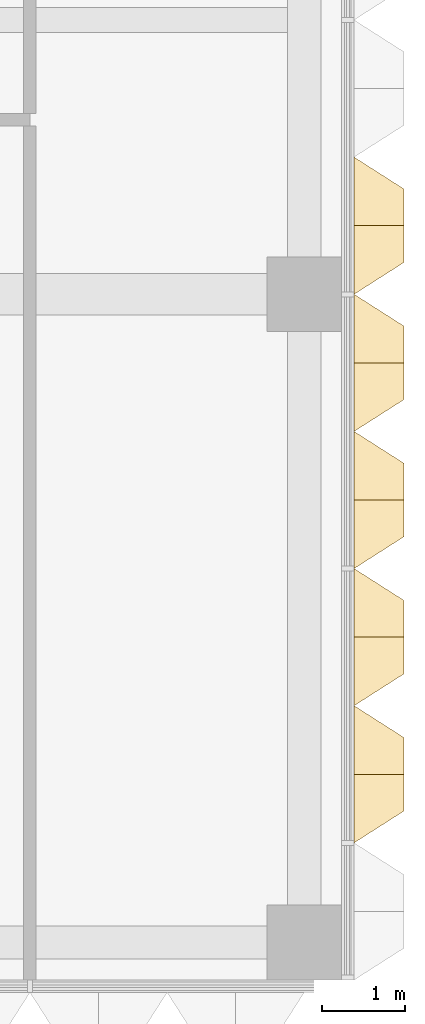
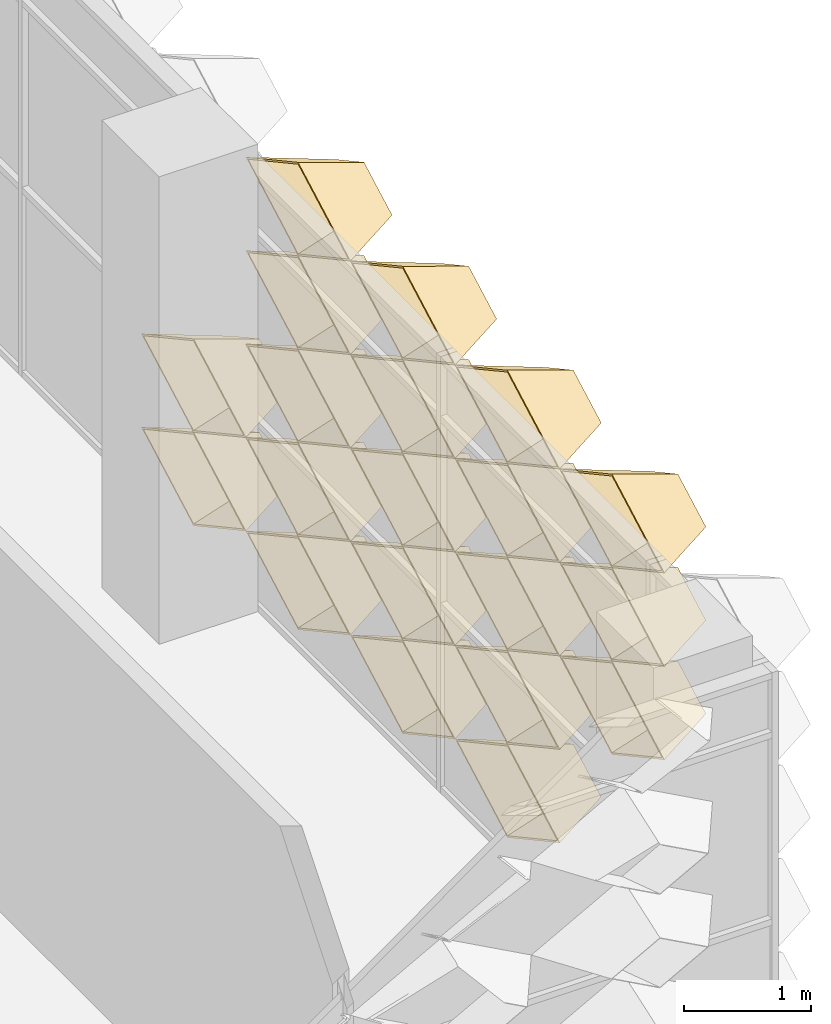
# One storey, part 61 of 87: 20 coverings.
"""IFC4 building model written with IfcOpenShell, lengths in metres."""

from ifc_helpers import new_model, entity, si_unit, direction, frame, origin, place, context, subcontext, project, spatial, material, layer, layer_set, type_object, element, save


model = new_model("IFC4")

# Units and contexts
model_context = context("Model", 3, precision=1e-05, world=origin(), true_north=direction((0.0, 1.0)))
body_context = subcontext(model_context, "Body", "Model", "MODEL_VIEW")
ifc_project = project(units=[si_unit("LENGTHUNIT", "METRE"), si_unit("AREAUNIT", "SQUARE_METRE"), si_unit("VOLUMEUNIT", "CUBIC_METRE"), si_unit("PLANEANGLEUNIT", "RADIAN"), si_unit("MASSUNIT", "GRAM", prefix="KILO")], contexts=[model_context])

# Site, building, storey
site_placement = place(None, origin())
site = spatial("IfcSite", under=ifc_project, at=site_placement, CompositionType="ELEMENT")
building_placement = place(site_placement, origin())
building = spatial("IfcBuilding", under=site, at=building_placement, Name="Lantern Court Research Institute", CompositionType="ELEMENT")
storey_placement = place(building_placement, frame((0.0, 0.0, 5.39990234375)))
storey = spatial("IfcBuildingStorey", under=building, at=storey_placement, Name="L01", CompositionType="ELEMENT", Elevation=5.39990234375)

# Coverings
ifc_material = material(Name="Anodised aluminium", Category="aluminium")
ifc_layer = layer(ifc_material, 0.01611328125)
ifc_layer_set = layer_set([ifc_layer], Name="Anodised aluminium")
covering_type = type_object("IfcCoveringType", Name="Fin cassette 1650 x 900 x 600 aluminium", PredefinedType="CLADDING", material=ifc_layer_set)
covering_1_placement = place(storey_placement, frame((79.800048828125, -4.125, 0.4501953125), z_axis=(1.0, 0.0, 0.0), x_axis=(0.0, 1.0, 0.0)))
cartesian_point_1 = entity("IfcCartesianPoint", [0.824951171875, 0.0])
cartesian_point_2 = entity("IfcCartesianPoint", [0.79150390625, 0.0])
cartesian_point_3 = entity("IfcCartesianPoint", [0.44189453125, 0.0])
cartesian_point_4 = entity("IfcCartesianPoint", [0.43359375, 0.0])
element("IfcCovering", 1, at=covering_1_placement, inside=storey, type_object=covering_type, Name="Fin cassette V5E-L01 1.-2", PredefinedType="CLADDING", context=body_context, shape_type="SweptSolid", body=[
    entity("IfcExtrudedAreaSolidTapered", entity("IfcArbitraryProfileDefWithVoids", "AREA", None, entity("IfcPolyline", [cartesian_point_1, entity("IfcCartesianPoint", [0.0, 0.449951171875]), entity("IfcCartesianPoint", [-0.824951171875, 0.0]), entity("IfcCartesianPoint", [0.0, -0.449951171875]), cartesian_point_1]), [entity("IfcPolyline", [cartesian_point_2, entity("IfcCartesianPoint", [0.0, 0.431884765625]), entity("IfcCartesianPoint", [-0.79150390625, 0.0]), entity("IfcCartesianPoint", [0.0, -0.431884765625]), cartesian_point_2])]), entity("IfcAxis2Placement3D", entity("IfcCartesianPoint", [0.0, 0.0, 0.0])), entity("IfcDirection", [0.0, 0.0, 1.0]), 0.60009765625, entity("IfcArbitraryProfileDefWithVoids", "AREA", None, entity("IfcPolyline", [cartesian_point_3, entity("IfcCartesianPoint", [0.0, 0.240966796875]), entity("IfcCartesianPoint", [-0.44189453125, 0.0]), entity("IfcCartesianPoint", [0.0, -0.240966796875]), cartesian_point_3]), [entity("IfcPolyline", [cartesian_point_4, entity("IfcCartesianPoint", [0.0, 0.236572265625]), entity("IfcCartesianPoint", [-0.43359375, 0.0]), entity("IfcCartesianPoint", [0.0, -0.236572265625]), cartesian_point_4])])),
])
covering_2_placement = place(storey_placement, frame((79.800048828125, -2.47509765625, 0.4501953125), z_axis=(1.0, 0.0, 0.0), x_axis=(0.0, 1.0, 0.0)))
cartesian_point_5 = entity("IfcCartesianPoint", [0.824951171875, 0.0])
cartesian_point_6 = entity("IfcCartesianPoint", [0.79150390625, 0.0])
cartesian_point_7 = entity("IfcCartesianPoint", [0.44189453125, 0.0])
cartesian_point_8 = entity("IfcCartesianPoint", [0.43359375, 0.0])
element("IfcCovering", 2, at=covering_2_placement, inside=storey, type_object=covering_type, Name="Fin cassette V5E-L01 1.-1", PredefinedType="CLADDING", context=body_context, shape_type="SweptSolid", body=[
    entity("IfcExtrudedAreaSolidTapered", entity("IfcArbitraryProfileDefWithVoids", "AREA", None, entity("IfcPolyline", [cartesian_point_5, entity("IfcCartesianPoint", [0.0, 0.449951171875]), entity("IfcCartesianPoint", [-0.824951171875, 0.0]), entity("IfcCartesianPoint", [0.0, -0.449951171875]), cartesian_point_5]), [entity("IfcPolyline", [cartesian_point_6, entity("IfcCartesianPoint", [0.0, 0.431884765625]), entity("IfcCartesianPoint", [-0.79150390625, 0.0]), entity("IfcCartesianPoint", [0.0, -0.431884765625]), cartesian_point_6])]), entity("IfcAxis2Placement3D", entity("IfcCartesianPoint", [0.0, 0.0, 0.0])), entity("IfcDirection", [0.0, 0.0, 1.0]), 0.60009765625, entity("IfcArbitraryProfileDefWithVoids", "AREA", None, entity("IfcPolyline", [cartesian_point_7, entity("IfcCartesianPoint", [0.0, 0.240966796875]), entity("IfcCartesianPoint", [-0.44189453125, 0.0]), entity("IfcCartesianPoint", [0.0, -0.240966796875]), cartesian_point_7]), [entity("IfcPolyline", [cartesian_point_8, entity("IfcCartesianPoint", [0.0, 0.236572265625]), entity("IfcCartesianPoint", [-0.43359375, 0.0]), entity("IfcCartesianPoint", [0.0, -0.236572265625]), cartesian_point_8])])),
])
covering_3_placement = place(storey_placement, frame((79.800048828125, -0.824951171875, 0.4501953125), z_axis=(1.0, 0.0, 0.0), x_axis=(0.0, 1.0, 0.0)))
cartesian_point_9 = entity("IfcCartesianPoint", [0.824951171875, 0.0])
cartesian_point_10 = entity("IfcCartesianPoint", [0.79150390625, 0.0])
cartesian_point_11 = entity("IfcCartesianPoint", [0.44189453125, 0.0])
cartesian_point_12 = entity("IfcCartesianPoint", [0.43359375, 0.0])
element("IfcCovering", 3, at=covering_3_placement, inside=storey, type_object=covering_type, Name="Fin cassette V5E-L01 1.0", PredefinedType="CLADDING", context=body_context, shape_type="SweptSolid", body=[
    entity("IfcExtrudedAreaSolidTapered", entity("IfcArbitraryProfileDefWithVoids", "AREA", None, entity("IfcPolyline", [cartesian_point_9, entity("IfcCartesianPoint", [0.0, 0.449951171875]), entity("IfcCartesianPoint", [-0.824951171875, 0.0]), entity("IfcCartesianPoint", [0.0, -0.449951171875]), cartesian_point_9]), [entity("IfcPolyline", [cartesian_point_10, entity("IfcCartesianPoint", [0.0, 0.431884765625]), entity("IfcCartesianPoint", [-0.79150390625, 0.0]), entity("IfcCartesianPoint", [0.0, -0.431884765625]), cartesian_point_10])]), entity("IfcAxis2Placement3D", entity("IfcCartesianPoint", [0.0, 0.0, 0.0])), entity("IfcDirection", [0.0, 0.0, 1.0]), 0.60009765625, entity("IfcArbitraryProfileDefWithVoids", "AREA", None, entity("IfcPolyline", [cartesian_point_11, entity("IfcCartesianPoint", [0.0, 0.240966796875]), entity("IfcCartesianPoint", [-0.44189453125, 0.0]), entity("IfcCartesianPoint", [0.0, -0.240966796875]), cartesian_point_11]), [entity("IfcPolyline", [cartesian_point_12, entity("IfcCartesianPoint", [0.0, 0.236572265625]), entity("IfcCartesianPoint", [-0.43359375, 0.0]), entity("IfcCartesianPoint", [0.0, -0.236572265625]), cartesian_point_12])])),
])
covering_4_placement = place(storey_placement, frame((79.800048828125, 0.824951171875, 0.4501953125), z_axis=(1.0, 0.0, 0.0), x_axis=(0.0, 1.0, 0.0)))
cartesian_point_13 = entity("IfcCartesianPoint", [0.824951171875, 0.0])
cartesian_point_14 = entity("IfcCartesianPoint", [0.79150390625, 0.0])
cartesian_point_15 = entity("IfcCartesianPoint", [0.44189453125, 0.0])
cartesian_point_16 = entity("IfcCartesianPoint", [0.43359375, 0.0])
element("IfcCovering", 4, at=covering_4_placement, inside=storey, type_object=covering_type, Name="Fin cassette V5E-L01 1.1", PredefinedType="CLADDING", context=body_context, shape_type="SweptSolid", body=[
    entity("IfcExtrudedAreaSolidTapered", entity("IfcArbitraryProfileDefWithVoids", "AREA", None, entity("IfcPolyline", [cartesian_point_13, entity("IfcCartesianPoint", [0.0, 0.449951171875]), entity("IfcCartesianPoint", [-0.824951171875, 0.0]), entity("IfcCartesianPoint", [0.0, -0.449951171875]), cartesian_point_13]), [entity("IfcPolyline", [cartesian_point_14, entity("IfcCartesianPoint", [0.0, 0.431884765625]), entity("IfcCartesianPoint", [-0.79150390625, 0.0]), entity("IfcCartesianPoint", [0.0, -0.431884765625]), cartesian_point_14])]), entity("IfcAxis2Placement3D", entity("IfcCartesianPoint", [0.0, 0.0, 0.0])), entity("IfcDirection", [0.0, 0.0, 1.0]), 0.60009765625, entity("IfcArbitraryProfileDefWithVoids", "AREA", None, entity("IfcPolyline", [cartesian_point_15, entity("IfcCartesianPoint", [0.0, 0.240966796875]), entity("IfcCartesianPoint", [-0.44189453125, 0.0]), entity("IfcCartesianPoint", [0.0, -0.240966796875]), cartesian_point_15]), [entity("IfcPolyline", [cartesian_point_16, entity("IfcCartesianPoint", [0.0, 0.236572265625]), entity("IfcCartesianPoint", [-0.43359375, 0.0]), entity("IfcCartesianPoint", [0.0, -0.236572265625]), cartesian_point_16])])),
])
covering_5_placement = place(storey_placement, frame((79.800048828125, -4.125, 1.35009765625), z_axis=(1.0, 0.0, 0.0), x_axis=(0.0, 1.0, 0.0)))
cartesian_point_17 = entity("IfcCartesianPoint", [0.824951171875, 0.0])
cartesian_point_18 = entity("IfcCartesianPoint", [0.79150390625, 0.0])
cartesian_point_19 = entity("IfcCartesianPoint", [0.44189453125, 0.0])
cartesian_point_20 = entity("IfcCartesianPoint", [0.43359375, 0.0])
element("IfcCovering", 5, at=covering_5_placement, inside=storey, type_object=covering_type, Name="Fin cassette V5E-L01 2.-2", PredefinedType="CLADDING", context=body_context, shape_type="SweptSolid", body=[
    entity("IfcExtrudedAreaSolidTapered", entity("IfcArbitraryProfileDefWithVoids", "AREA", None, entity("IfcPolyline", [cartesian_point_17, entity("IfcCartesianPoint", [0.0, 0.449951171875]), entity("IfcCartesianPoint", [-0.824951171875, 0.0]), entity("IfcCartesianPoint", [0.0, -0.449951171875]), cartesian_point_17]), [entity("IfcPolyline", [cartesian_point_18, entity("IfcCartesianPoint", [0.0, 0.431884765625]), entity("IfcCartesianPoint", [-0.79150390625, 0.0]), entity("IfcCartesianPoint", [0.0, -0.431884765625]), cartesian_point_18])]), entity("IfcAxis2Placement3D", entity("IfcCartesianPoint", [0.0, 0.0, 0.0])), entity("IfcDirection", [0.0, 0.0, 1.0]), 0.60009765625, entity("IfcArbitraryProfileDefWithVoids", "AREA", None, entity("IfcPolyline", [cartesian_point_19, entity("IfcCartesianPoint", [0.0, 0.240966796875]), entity("IfcCartesianPoint", [-0.44189453125, 0.0]), entity("IfcCartesianPoint", [0.0, -0.240966796875]), cartesian_point_19]), [entity("IfcPolyline", [cartesian_point_20, entity("IfcCartesianPoint", [0.0, 0.236572265625]), entity("IfcCartesianPoint", [-0.43359375, 0.0]), entity("IfcCartesianPoint", [0.0, -0.236572265625]), cartesian_point_20])])),
])
covering_6_placement = place(storey_placement, frame((79.800048828125, -2.47509765625, 1.35009765625), z_axis=(1.0, 0.0, 0.0), x_axis=(0.0, 1.0, 0.0)))
cartesian_point_21 = entity("IfcCartesianPoint", [0.824951171875, 0.0])
cartesian_point_22 = entity("IfcCartesianPoint", [0.79150390625, 0.0])
cartesian_point_23 = entity("IfcCartesianPoint", [0.44189453125, 0.0])
cartesian_point_24 = entity("IfcCartesianPoint", [0.43359375, 0.0])
element("IfcCovering", 6, at=covering_6_placement, inside=storey, type_object=covering_type, Name="Fin cassette V5E-L01 2.-1", PredefinedType="CLADDING", context=body_context, shape_type="SweptSolid", body=[
    entity("IfcExtrudedAreaSolidTapered", entity("IfcArbitraryProfileDefWithVoids", "AREA", None, entity("IfcPolyline", [cartesian_point_21, entity("IfcCartesianPoint", [0.0, 0.449951171875]), entity("IfcCartesianPoint", [-0.824951171875, 0.0]), entity("IfcCartesianPoint", [0.0, -0.449951171875]), cartesian_point_21]), [entity("IfcPolyline", [cartesian_point_22, entity("IfcCartesianPoint", [0.0, 0.431884765625]), entity("IfcCartesianPoint", [-0.79150390625, 0.0]), entity("IfcCartesianPoint", [0.0, -0.431884765625]), cartesian_point_22])]), entity("IfcAxis2Placement3D", entity("IfcCartesianPoint", [0.0, 0.0, 0.0])), entity("IfcDirection", [0.0, 0.0, 1.0]), 0.60009765625, entity("IfcArbitraryProfileDefWithVoids", "AREA", None, entity("IfcPolyline", [cartesian_point_23, entity("IfcCartesianPoint", [0.0, 0.240966796875]), entity("IfcCartesianPoint", [-0.44189453125, 0.0]), entity("IfcCartesianPoint", [0.0, -0.240966796875]), cartesian_point_23]), [entity("IfcPolyline", [cartesian_point_24, entity("IfcCartesianPoint", [0.0, 0.236572265625]), entity("IfcCartesianPoint", [-0.43359375, 0.0]), entity("IfcCartesianPoint", [0.0, -0.236572265625]), cartesian_point_24])])),
])
covering_7_placement = place(storey_placement, frame((79.800048828125, -0.824951171875, 1.35009765625), z_axis=(1.0, 0.0, 0.0), x_axis=(0.0, 1.0, 0.0)))
cartesian_point_25 = entity("IfcCartesianPoint", [0.824951171875, 0.0])
cartesian_point_26 = entity("IfcCartesianPoint", [0.79150390625, 0.0])
cartesian_point_27 = entity("IfcCartesianPoint", [0.44189453125, 0.0])
cartesian_point_28 = entity("IfcCartesianPoint", [0.43359375, 0.0])
element("IfcCovering", 7, at=covering_7_placement, inside=storey, type_object=covering_type, Name="Fin cassette V5E-L01 2.0", PredefinedType="CLADDING", context=body_context, shape_type="SweptSolid", body=[
    entity("IfcExtrudedAreaSolidTapered", entity("IfcArbitraryProfileDefWithVoids", "AREA", None, entity("IfcPolyline", [cartesian_point_25, entity("IfcCartesianPoint", [0.0, 0.449951171875]), entity("IfcCartesianPoint", [-0.824951171875, 0.0]), entity("IfcCartesianPoint", [0.0, -0.449951171875]), cartesian_point_25]), [entity("IfcPolyline", [cartesian_point_26, entity("IfcCartesianPoint", [0.0, 0.431884765625]), entity("IfcCartesianPoint", [-0.79150390625, 0.0]), entity("IfcCartesianPoint", [0.0, -0.431884765625]), cartesian_point_26])]), entity("IfcAxis2Placement3D", entity("IfcCartesianPoint", [0.0, 0.0, 0.0])), entity("IfcDirection", [0.0, 0.0, 1.0]), 0.60009765625, entity("IfcArbitraryProfileDefWithVoids", "AREA", None, entity("IfcPolyline", [cartesian_point_27, entity("IfcCartesianPoint", [0.0, 0.240966796875]), entity("IfcCartesianPoint", [-0.44189453125, 0.0]), entity("IfcCartesianPoint", [0.0, -0.240966796875]), cartesian_point_27]), [entity("IfcPolyline", [cartesian_point_28, entity("IfcCartesianPoint", [0.0, 0.236572265625]), entity("IfcCartesianPoint", [-0.43359375, 0.0]), entity("IfcCartesianPoint", [0.0, -0.236572265625]), cartesian_point_28])])),
])
covering_8_placement = place(storey_placement, frame((79.800048828125, 0.824951171875, 1.35009765625), z_axis=(1.0, 0.0, 0.0), x_axis=(0.0, 1.0, 0.0)))
cartesian_point_29 = entity("IfcCartesianPoint", [0.824951171875, 0.0])
cartesian_point_30 = entity("IfcCartesianPoint", [0.79150390625, 0.0])
cartesian_point_31 = entity("IfcCartesianPoint", [0.44189453125, 0.0])
cartesian_point_32 = entity("IfcCartesianPoint", [0.43359375, 0.0])
element("IfcCovering", 8, at=covering_8_placement, inside=storey, type_object=covering_type, Name="Fin cassette V5E-L01 2.1", PredefinedType="CLADDING", context=body_context, shape_type="SweptSolid", body=[
    entity("IfcExtrudedAreaSolidTapered", entity("IfcArbitraryProfileDefWithVoids", "AREA", None, entity("IfcPolyline", [cartesian_point_29, entity("IfcCartesianPoint", [0.0, 0.449951171875]), entity("IfcCartesianPoint", [-0.824951171875, 0.0]), entity("IfcCartesianPoint", [0.0, -0.449951171875]), cartesian_point_29]), [entity("IfcPolyline", [cartesian_point_30, entity("IfcCartesianPoint", [0.0, 0.431884765625]), entity("IfcCartesianPoint", [-0.79150390625, 0.0]), entity("IfcCartesianPoint", [0.0, -0.431884765625]), cartesian_point_30])]), entity("IfcAxis2Placement3D", entity("IfcCartesianPoint", [0.0, 0.0, 0.0])), entity("IfcDirection", [0.0, 0.0, 1.0]), 0.60009765625, entity("IfcArbitraryProfileDefWithVoids", "AREA", None, entity("IfcPolyline", [cartesian_point_31, entity("IfcCartesianPoint", [0.0, 0.240966796875]), entity("IfcCartesianPoint", [-0.44189453125, 0.0]), entity("IfcCartesianPoint", [0.0, -0.240966796875]), cartesian_point_31]), [entity("IfcPolyline", [cartesian_point_32, entity("IfcCartesianPoint", [0.0, 0.236572265625]), entity("IfcCartesianPoint", [-0.43359375, 0.0]), entity("IfcCartesianPoint", [0.0, -0.236572265625]), cartesian_point_32])])),
])
covering_9_placement = place(storey_placement, frame((79.800048828125, -5.77490234375, 2.25), z_axis=(1.0, 0.0, 0.0), x_axis=(0.0, 1.0, 0.0)))
cartesian_point_33 = entity("IfcCartesianPoint", [0.824951171875, 0.0])
cartesian_point_34 = entity("IfcCartesianPoint", [0.79150390625, 0.0])
cartesian_point_35 = entity("IfcCartesianPoint", [0.44189453125, 0.0])
cartesian_point_36 = entity("IfcCartesianPoint", [0.43359375, 0.0])
element("IfcCovering", 9, at=covering_9_placement, inside=storey, type_object=covering_type, Name="Fin cassette V5E-L01 3.-3", PredefinedType="CLADDING", context=body_context, shape_type="SweptSolid", body=[
    entity("IfcExtrudedAreaSolidTapered", entity("IfcArbitraryProfileDefWithVoids", "AREA", None, entity("IfcPolyline", [cartesian_point_33, entity("IfcCartesianPoint", [0.0, 0.449951171875]), entity("IfcCartesianPoint", [-0.824951171875, 0.0]), entity("IfcCartesianPoint", [0.0, -0.449951171875]), cartesian_point_33]), [entity("IfcPolyline", [cartesian_point_34, entity("IfcCartesianPoint", [0.0, 0.431884765625]), entity("IfcCartesianPoint", [-0.79150390625, 0.0]), entity("IfcCartesianPoint", [0.0, -0.431884765625]), cartesian_point_34])]), entity("IfcAxis2Placement3D", entity("IfcCartesianPoint", [0.0, 0.0, 0.0])), entity("IfcDirection", [0.0, 0.0, 1.0]), 0.60009765625, entity("IfcArbitraryProfileDefWithVoids", "AREA", None, entity("IfcPolyline", [cartesian_point_35, entity("IfcCartesianPoint", [0.0, 0.240966796875]), entity("IfcCartesianPoint", [-0.44189453125, 0.0]), entity("IfcCartesianPoint", [0.0, -0.240966796875]), cartesian_point_35]), [entity("IfcPolyline", [cartesian_point_36, entity("IfcCartesianPoint", [0.0, 0.236572265625]), entity("IfcCartesianPoint", [-0.43359375, 0.0]), entity("IfcCartesianPoint", [0.0, -0.236572265625]), cartesian_point_36])])),
])
covering_10_placement = place(storey_placement, frame((79.800048828125, -4.125, 2.25), z_axis=(1.0, 0.0, 0.0), x_axis=(0.0, 1.0, 0.0)))
cartesian_point_37 = entity("IfcCartesianPoint", [0.824951171875, 0.0])
cartesian_point_38 = entity("IfcCartesianPoint", [0.79150390625, 0.0])
cartesian_point_39 = entity("IfcCartesianPoint", [0.44189453125, 0.0])
cartesian_point_40 = entity("IfcCartesianPoint", [0.43359375, 0.0])
element("IfcCovering", 10, at=covering_10_placement, inside=storey, type_object=covering_type, Name="Fin cassette V5E-L01 3.-2", PredefinedType="CLADDING", context=body_context, shape_type="SweptSolid", body=[
    entity("IfcExtrudedAreaSolidTapered", entity("IfcArbitraryProfileDefWithVoids", "AREA", None, entity("IfcPolyline", [cartesian_point_37, entity("IfcCartesianPoint", [0.0, 0.449951171875]), entity("IfcCartesianPoint", [-0.824951171875, 0.0]), entity("IfcCartesianPoint", [0.0, -0.449951171875]), cartesian_point_37]), [entity("IfcPolyline", [cartesian_point_38, entity("IfcCartesianPoint", [0.0, 0.431884765625]), entity("IfcCartesianPoint", [-0.79150390625, 0.0]), entity("IfcCartesianPoint", [0.0, -0.431884765625]), cartesian_point_38])]), entity("IfcAxis2Placement3D", entity("IfcCartesianPoint", [0.0, 0.0, 0.0])), entity("IfcDirection", [0.0, 0.0, 1.0]), 0.60009765625, entity("IfcArbitraryProfileDefWithVoids", "AREA", None, entity("IfcPolyline", [cartesian_point_39, entity("IfcCartesianPoint", [0.0, 0.240966796875]), entity("IfcCartesianPoint", [-0.44189453125, 0.0]), entity("IfcCartesianPoint", [0.0, -0.240966796875]), cartesian_point_39]), [entity("IfcPolyline", [cartesian_point_40, entity("IfcCartesianPoint", [0.0, 0.236572265625]), entity("IfcCartesianPoint", [-0.43359375, 0.0]), entity("IfcCartesianPoint", [0.0, -0.236572265625]), cartesian_point_40])])),
])
covering_11_placement = place(storey_placement, frame((79.800048828125, -2.47509765625, 2.25), z_axis=(1.0, 0.0, 0.0), x_axis=(0.0, 1.0, 0.0)))
cartesian_point_41 = entity("IfcCartesianPoint", [0.824951171875, 0.0])
cartesian_point_42 = entity("IfcCartesianPoint", [0.79150390625, 0.0])
cartesian_point_43 = entity("IfcCartesianPoint", [0.44189453125, 0.0])
cartesian_point_44 = entity("IfcCartesianPoint", [0.43359375, 0.0])
element("IfcCovering", 11, at=covering_11_placement, inside=storey, type_object=covering_type, Name="Fin cassette V5E-L01 3.-1", PredefinedType="CLADDING", context=body_context, shape_type="SweptSolid", body=[
    entity("IfcExtrudedAreaSolidTapered", entity("IfcArbitraryProfileDefWithVoids", "AREA", None, entity("IfcPolyline", [cartesian_point_41, entity("IfcCartesianPoint", [0.0, 0.449951171875]), entity("IfcCartesianPoint", [-0.824951171875, 0.0]), entity("IfcCartesianPoint", [0.0, -0.449951171875]), cartesian_point_41]), [entity("IfcPolyline", [cartesian_point_42, entity("IfcCartesianPoint", [0.0, 0.431884765625]), entity("IfcCartesianPoint", [-0.79150390625, 0.0]), entity("IfcCartesianPoint", [0.0, -0.431884765625]), cartesian_point_42])]), entity("IfcAxis2Placement3D", entity("IfcCartesianPoint", [0.0, 0.0, 0.0])), entity("IfcDirection", [0.0, 0.0, 1.0]), 0.60009765625, entity("IfcArbitraryProfileDefWithVoids", "AREA", None, entity("IfcPolyline", [cartesian_point_43, entity("IfcCartesianPoint", [0.0, 0.240966796875]), entity("IfcCartesianPoint", [-0.44189453125, 0.0]), entity("IfcCartesianPoint", [0.0, -0.240966796875]), cartesian_point_43]), [entity("IfcPolyline", [cartesian_point_44, entity("IfcCartesianPoint", [0.0, 0.236572265625]), entity("IfcCartesianPoint", [-0.43359375, 0.0]), entity("IfcCartesianPoint", [0.0, -0.236572265625]), cartesian_point_44])])),
])
covering_12_placement = place(storey_placement, frame((79.800048828125, -0.824951171875, 2.25), z_axis=(1.0, 0.0, 0.0), x_axis=(0.0, 1.0, 0.0)))
cartesian_point_45 = entity("IfcCartesianPoint", [0.824951171875, 0.0])
cartesian_point_46 = entity("IfcCartesianPoint", [0.79150390625, 0.0])
cartesian_point_47 = entity("IfcCartesianPoint", [0.44189453125, 0.0])
cartesian_point_48 = entity("IfcCartesianPoint", [0.43359375, 0.0])
element("IfcCovering", 12, at=covering_12_placement, inside=storey, type_object=covering_type, Name="Fin cassette V5E-L01 3.0", PredefinedType="CLADDING", context=body_context, shape_type="SweptSolid", body=[
    entity("IfcExtrudedAreaSolidTapered", entity("IfcArbitraryProfileDefWithVoids", "AREA", None, entity("IfcPolyline", [cartesian_point_45, entity("IfcCartesianPoint", [0.0, 0.449951171875]), entity("IfcCartesianPoint", [-0.824951171875, 0.0]), entity("IfcCartesianPoint", [0.0, -0.449951171875]), cartesian_point_45]), [entity("IfcPolyline", [cartesian_point_46, entity("IfcCartesianPoint", [0.0, 0.431884765625]), entity("IfcCartesianPoint", [-0.79150390625, 0.0]), entity("IfcCartesianPoint", [0.0, -0.431884765625]), cartesian_point_46])]), entity("IfcAxis2Placement3D", entity("IfcCartesianPoint", [0.0, 0.0, 0.0])), entity("IfcDirection", [0.0, 0.0, 1.0]), 0.60009765625, entity("IfcArbitraryProfileDefWithVoids", "AREA", None, entity("IfcPolyline", [cartesian_point_47, entity("IfcCartesianPoint", [0.0, 0.240966796875]), entity("IfcCartesianPoint", [-0.44189453125, 0.0]), entity("IfcCartesianPoint", [0.0, -0.240966796875]), cartesian_point_47]), [entity("IfcPolyline", [cartesian_point_48, entity("IfcCartesianPoint", [0.0, 0.236572265625]), entity("IfcCartesianPoint", [-0.43359375, 0.0]), entity("IfcCartesianPoint", [0.0, -0.236572265625]), cartesian_point_48])])),
])
covering_13_placement = place(storey_placement, frame((79.800048828125, -5.77490234375, 3.150146484375), z_axis=(1.0, 0.0, 0.0), x_axis=(0.0, 1.0, 0.0)))
cartesian_point_49 = entity("IfcCartesianPoint", [0.824951171875, 0.0])
cartesian_point_50 = entity("IfcCartesianPoint", [0.79150390625, 0.0])
cartesian_point_51 = entity("IfcCartesianPoint", [0.44189453125, 0.0])
cartesian_point_52 = entity("IfcCartesianPoint", [0.43359375, 0.0])
element("IfcCovering", 13, at=covering_13_placement, inside=storey, type_object=covering_type, Name="Fin cassette V5E-L01 4.-3", PredefinedType="CLADDING", context=body_context, shape_type="SweptSolid", body=[
    entity("IfcExtrudedAreaSolidTapered", entity("IfcArbitraryProfileDefWithVoids", "AREA", None, entity("IfcPolyline", [cartesian_point_49, entity("IfcCartesianPoint", [0.0, 0.449951171875]), entity("IfcCartesianPoint", [-0.824951171875, 0.0]), entity("IfcCartesianPoint", [0.0, -0.449951171875]), cartesian_point_49]), [entity("IfcPolyline", [cartesian_point_50, entity("IfcCartesianPoint", [0.0, 0.431884765625]), entity("IfcCartesianPoint", [-0.79150390625, 0.0]), entity("IfcCartesianPoint", [0.0, -0.431884765625]), cartesian_point_50])]), entity("IfcAxis2Placement3D", entity("IfcCartesianPoint", [0.0, 0.0, 0.0])), entity("IfcDirection", [0.0, 0.0, 1.0]), 0.60009765625, entity("IfcArbitraryProfileDefWithVoids", "AREA", None, entity("IfcPolyline", [cartesian_point_51, entity("IfcCartesianPoint", [0.0, 0.240966796875]), entity("IfcCartesianPoint", [-0.44189453125, 0.0]), entity("IfcCartesianPoint", [0.0, -0.240966796875]), cartesian_point_51]), [entity("IfcPolyline", [cartesian_point_52, entity("IfcCartesianPoint", [0.0, 0.236572265625]), entity("IfcCartesianPoint", [-0.43359375, 0.0]), entity("IfcCartesianPoint", [0.0, -0.236572265625]), cartesian_point_52])])),
])
covering_14_placement = place(storey_placement, frame((79.800048828125, -4.125, 3.150146484375), z_axis=(1.0, 0.0, 0.0), x_axis=(0.0, 1.0, 0.0)))
cartesian_point_53 = entity("IfcCartesianPoint", [0.824951171875, 0.0])
cartesian_point_54 = entity("IfcCartesianPoint", [0.79150390625, 0.0])
cartesian_point_55 = entity("IfcCartesianPoint", [0.44189453125, 0.0])
cartesian_point_56 = entity("IfcCartesianPoint", [0.43359375, 0.0])
element("IfcCovering", 14, at=covering_14_placement, inside=storey, type_object=covering_type, Name="Fin cassette V5E-L01 4.-2", PredefinedType="CLADDING", context=body_context, shape_type="SweptSolid", body=[
    entity("IfcExtrudedAreaSolidTapered", entity("IfcArbitraryProfileDefWithVoids", "AREA", None, entity("IfcPolyline", [cartesian_point_53, entity("IfcCartesianPoint", [0.0, 0.449951171875]), entity("IfcCartesianPoint", [-0.824951171875, 0.0]), entity("IfcCartesianPoint", [0.0, -0.449951171875]), cartesian_point_53]), [entity("IfcPolyline", [cartesian_point_54, entity("IfcCartesianPoint", [0.0, 0.431884765625]), entity("IfcCartesianPoint", [-0.79150390625, 0.0]), entity("IfcCartesianPoint", [0.0, -0.431884765625]), cartesian_point_54])]), entity("IfcAxis2Placement3D", entity("IfcCartesianPoint", [0.0, 0.0, 0.0])), entity("IfcDirection", [0.0, 0.0, 1.0]), 0.60009765625, entity("IfcArbitraryProfileDefWithVoids", "AREA", None, entity("IfcPolyline", [cartesian_point_55, entity("IfcCartesianPoint", [0.0, 0.240966796875]), entity("IfcCartesianPoint", [-0.44189453125, 0.0]), entity("IfcCartesianPoint", [0.0, -0.240966796875]), cartesian_point_55]), [entity("IfcPolyline", [cartesian_point_56, entity("IfcCartesianPoint", [0.0, 0.236572265625]), entity("IfcCartesianPoint", [-0.43359375, 0.0]), entity("IfcCartesianPoint", [0.0, -0.236572265625]), cartesian_point_56])])),
])
covering_15_placement = place(storey_placement, frame((79.800048828125, -2.47509765625, 3.150146484375), z_axis=(1.0, 0.0, 0.0), x_axis=(0.0, 1.0, 0.0)))
cartesian_point_57 = entity("IfcCartesianPoint", [0.824951171875, 0.0])
cartesian_point_58 = entity("IfcCartesianPoint", [0.79150390625, 0.0])
cartesian_point_59 = entity("IfcCartesianPoint", [0.44189453125, 0.0])
cartesian_point_60 = entity("IfcCartesianPoint", [0.43359375, 0.0])
element("IfcCovering", 15, at=covering_15_placement, inside=storey, type_object=covering_type, Name="Fin cassette V5E-L01 4.-1", PredefinedType="CLADDING", context=body_context, shape_type="SweptSolid", body=[
    entity("IfcExtrudedAreaSolidTapered", entity("IfcArbitraryProfileDefWithVoids", "AREA", None, entity("IfcPolyline", [cartesian_point_57, entity("IfcCartesianPoint", [0.0, 0.449951171875]), entity("IfcCartesianPoint", [-0.824951171875, 0.0]), entity("IfcCartesianPoint", [0.0, -0.449951171875]), cartesian_point_57]), [entity("IfcPolyline", [cartesian_point_58, entity("IfcCartesianPoint", [0.0, 0.431884765625]), entity("IfcCartesianPoint", [-0.79150390625, 0.0]), entity("IfcCartesianPoint", [0.0, -0.431884765625]), cartesian_point_58])]), entity("IfcAxis2Placement3D", entity("IfcCartesianPoint", [0.0, 0.0, 0.0])), entity("IfcDirection", [0.0, 0.0, 1.0]), 0.60009765625, entity("IfcArbitraryProfileDefWithVoids", "AREA", None, entity("IfcPolyline", [cartesian_point_59, entity("IfcCartesianPoint", [0.0, 0.240966796875]), entity("IfcCartesianPoint", [-0.44189453125, 0.0]), entity("IfcCartesianPoint", [0.0, -0.240966796875]), cartesian_point_59]), [entity("IfcPolyline", [cartesian_point_60, entity("IfcCartesianPoint", [0.0, 0.236572265625]), entity("IfcCartesianPoint", [-0.43359375, 0.0]), entity("IfcCartesianPoint", [0.0, -0.236572265625]), cartesian_point_60])])),
])
covering_16_placement = place(storey_placement, frame((79.800048828125, -0.824951171875, 3.150146484375), z_axis=(1.0, 0.0, 0.0), x_axis=(0.0, 1.0, 0.0)))
cartesian_point_61 = entity("IfcCartesianPoint", [0.824951171875, 0.0])
cartesian_point_62 = entity("IfcCartesianPoint", [0.79150390625, 0.0])
cartesian_point_63 = entity("IfcCartesianPoint", [0.44189453125, 0.0])
cartesian_point_64 = entity("IfcCartesianPoint", [0.43359375, 0.0])
element("IfcCovering", 16, at=covering_16_placement, inside=storey, type_object=covering_type, Name="Fin cassette V5E-L01 4.0", PredefinedType="CLADDING", context=body_context, shape_type="SweptSolid", body=[
    entity("IfcExtrudedAreaSolidTapered", entity("IfcArbitraryProfileDefWithVoids", "AREA", None, entity("IfcPolyline", [cartesian_point_61, entity("IfcCartesianPoint", [0.0, 0.449951171875]), entity("IfcCartesianPoint", [-0.824951171875, 0.0]), entity("IfcCartesianPoint", [0.0, -0.449951171875]), cartesian_point_61]), [entity("IfcPolyline", [cartesian_point_62, entity("IfcCartesianPoint", [0.0, 0.431884765625]), entity("IfcCartesianPoint", [-0.79150390625, 0.0]), entity("IfcCartesianPoint", [0.0, -0.431884765625]), cartesian_point_62])]), entity("IfcAxis2Placement3D", entity("IfcCartesianPoint", [0.0, 0.0, 0.0])), entity("IfcDirection", [0.0, 0.0, 1.0]), 0.60009765625, entity("IfcArbitraryProfileDefWithVoids", "AREA", None, entity("IfcPolyline", [cartesian_point_63, entity("IfcCartesianPoint", [0.0, 0.240966796875]), entity("IfcCartesianPoint", [-0.44189453125, 0.0]), entity("IfcCartesianPoint", [0.0, -0.240966796875]), cartesian_point_63]), [entity("IfcPolyline", [cartesian_point_64, entity("IfcCartesianPoint", [0.0, 0.236572265625]), entity("IfcCartesianPoint", [-0.43359375, 0.0]), entity("IfcCartesianPoint", [0.0, -0.236572265625]), cartesian_point_64])])),
])
covering_17_placement = place(storey_placement, frame((79.800048828125, -5.77490234375, 4.050048828125), z_axis=(1.0, 0.0, 0.0), x_axis=(0.0, 1.0, 0.0)))
cartesian_point_65 = entity("IfcCartesianPoint", [0.824951171875, 0.0])
cartesian_point_66 = entity("IfcCartesianPoint", [0.79150390625, 0.0])
cartesian_point_67 = entity("IfcCartesianPoint", [0.44189453125, 0.0])
cartesian_point_68 = entity("IfcCartesianPoint", [0.43359375, 0.0])
element("IfcCovering", 17, at=covering_17_placement, inside=storey, type_object=covering_type, Name="Fin cassette V5E-L01 5.-3", PredefinedType="CLADDING", context=body_context, shape_type="SweptSolid", body=[
    entity("IfcExtrudedAreaSolidTapered", entity("IfcArbitraryProfileDefWithVoids", "AREA", None, entity("IfcPolyline", [cartesian_point_65, entity("IfcCartesianPoint", [0.0, 0.449951171875]), entity("IfcCartesianPoint", [-0.824951171875, 0.0]), entity("IfcCartesianPoint", [0.0, -0.449951171875]), cartesian_point_65]), [entity("IfcPolyline", [cartesian_point_66, entity("IfcCartesianPoint", [0.0, 0.431884765625]), entity("IfcCartesianPoint", [-0.79150390625, 0.0]), entity("IfcCartesianPoint", [0.0, -0.431884765625]), cartesian_point_66])]), entity("IfcAxis2Placement3D", entity("IfcCartesianPoint", [0.0, 0.0, 0.0])), entity("IfcDirection", [0.0, 0.0, 1.0]), 0.60009765625, entity("IfcArbitraryProfileDefWithVoids", "AREA", None, entity("IfcPolyline", [cartesian_point_67, entity("IfcCartesianPoint", [0.0, 0.240966796875]), entity("IfcCartesianPoint", [-0.44189453125, 0.0]), entity("IfcCartesianPoint", [0.0, -0.240966796875]), cartesian_point_67]), [entity("IfcPolyline", [cartesian_point_68, entity("IfcCartesianPoint", [0.0, 0.236572265625]), entity("IfcCartesianPoint", [-0.43359375, 0.0]), entity("IfcCartesianPoint", [0.0, -0.236572265625]), cartesian_point_68])])),
])
covering_18_placement = place(storey_placement, frame((79.800048828125, -4.125, 4.050048828125), z_axis=(1.0, 0.0, 0.0), x_axis=(0.0, 1.0, 0.0)))
cartesian_point_69 = entity("IfcCartesianPoint", [0.824951171875, 0.0])
cartesian_point_70 = entity("IfcCartesianPoint", [0.79150390625, 0.0])
cartesian_point_71 = entity("IfcCartesianPoint", [0.44189453125, 0.0])
cartesian_point_72 = entity("IfcCartesianPoint", [0.43359375, 0.0])
element("IfcCovering", 18, at=covering_18_placement, inside=storey, type_object=covering_type, Name="Fin cassette V5E-L01 5.-2", PredefinedType="CLADDING", context=body_context, shape_type="SweptSolid", body=[
    entity("IfcExtrudedAreaSolidTapered", entity("IfcArbitraryProfileDefWithVoids", "AREA", None, entity("IfcPolyline", [cartesian_point_69, entity("IfcCartesianPoint", [0.0, 0.449951171875]), entity("IfcCartesianPoint", [-0.824951171875, 0.0]), entity("IfcCartesianPoint", [0.0, -0.449951171875]), cartesian_point_69]), [entity("IfcPolyline", [cartesian_point_70, entity("IfcCartesianPoint", [0.0, 0.431884765625]), entity("IfcCartesianPoint", [-0.79150390625, 0.0]), entity("IfcCartesianPoint", [0.0, -0.431884765625]), cartesian_point_70])]), entity("IfcAxis2Placement3D", entity("IfcCartesianPoint", [0.0, 0.0, 0.0])), entity("IfcDirection", [0.0, 0.0, 1.0]), 0.60009765625, entity("IfcArbitraryProfileDefWithVoids", "AREA", None, entity("IfcPolyline", [cartesian_point_71, entity("IfcCartesianPoint", [0.0, 0.240966796875]), entity("IfcCartesianPoint", [-0.44189453125, 0.0]), entity("IfcCartesianPoint", [0.0, -0.240966796875]), cartesian_point_71]), [entity("IfcPolyline", [cartesian_point_72, entity("IfcCartesianPoint", [0.0, 0.236572265625]), entity("IfcCartesianPoint", [-0.43359375, 0.0]), entity("IfcCartesianPoint", [0.0, -0.236572265625]), cartesian_point_72])])),
])
covering_19_placement = place(storey_placement, frame((79.800048828125, -2.47509765625, 4.050048828125), z_axis=(1.0, 0.0, 0.0), x_axis=(0.0, 1.0, 0.0)))
cartesian_point_73 = entity("IfcCartesianPoint", [0.824951171875, 0.0])
cartesian_point_74 = entity("IfcCartesianPoint", [0.79150390625, 0.0])
cartesian_point_75 = entity("IfcCartesianPoint", [0.44189453125, 0.0])
cartesian_point_76 = entity("IfcCartesianPoint", [0.43359375, 0.0])
element("IfcCovering", 19, at=covering_19_placement, inside=storey, type_object=covering_type, Name="Fin cassette V5E-L01 5.-1", PredefinedType="CLADDING", context=body_context, shape_type="SweptSolid", body=[
    entity("IfcExtrudedAreaSolidTapered", entity("IfcArbitraryProfileDefWithVoids", "AREA", None, entity("IfcPolyline", [cartesian_point_73, entity("IfcCartesianPoint", [0.0, 0.449951171875]), entity("IfcCartesianPoint", [-0.824951171875, 0.0]), entity("IfcCartesianPoint", [0.0, -0.449951171875]), cartesian_point_73]), [entity("IfcPolyline", [cartesian_point_74, entity("IfcCartesianPoint", [0.0, 0.431884765625]), entity("IfcCartesianPoint", [-0.79150390625, 0.0]), entity("IfcCartesianPoint", [0.0, -0.431884765625]), cartesian_point_74])]), entity("IfcAxis2Placement3D", entity("IfcCartesianPoint", [0.0, 0.0, 0.0])), entity("IfcDirection", [0.0, 0.0, 1.0]), 0.60009765625, entity("IfcArbitraryProfileDefWithVoids", "AREA", None, entity("IfcPolyline", [cartesian_point_75, entity("IfcCartesianPoint", [0.0, 0.240966796875]), entity("IfcCartesianPoint", [-0.44189453125, 0.0]), entity("IfcCartesianPoint", [0.0, -0.240966796875]), cartesian_point_75]), [entity("IfcPolyline", [cartesian_point_76, entity("IfcCartesianPoint", [0.0, 0.236572265625]), entity("IfcCartesianPoint", [-0.43359375, 0.0]), entity("IfcCartesianPoint", [0.0, -0.236572265625]), cartesian_point_76])])),
])
covering_20_placement = place(storey_placement, frame((79.800048828125, -0.824951171875, 4.050048828125), z_axis=(1.0, 0.0, 0.0), x_axis=(0.0, 1.0, 0.0)))
cartesian_point_77 = entity("IfcCartesianPoint", [0.824951171875, 0.0])
cartesian_point_78 = entity("IfcCartesianPoint", [0.79150390625, 0.0])
cartesian_point_79 = entity("IfcCartesianPoint", [0.44189453125, 0.0])
cartesian_point_80 = entity("IfcCartesianPoint", [0.43359375, 0.0])
element("IfcCovering", 20, at=covering_20_placement, inside=storey, type_object=covering_type, Name="Fin cassette V5E-L01 5.0", PredefinedType="CLADDING", context=body_context, shape_type="SweptSolid", body=[
    entity("IfcExtrudedAreaSolidTapered", entity("IfcArbitraryProfileDefWithVoids", "AREA", None, entity("IfcPolyline", [cartesian_point_77, entity("IfcCartesianPoint", [0.0, 0.449951171875]), entity("IfcCartesianPoint", [-0.824951171875, 0.0]), entity("IfcCartesianPoint", [0.0, -0.449951171875]), cartesian_point_77]), [entity("IfcPolyline", [cartesian_point_78, entity("IfcCartesianPoint", [0.0, 0.431884765625]), entity("IfcCartesianPoint", [-0.79150390625, 0.0]), entity("IfcCartesianPoint", [0.0, -0.431884765625]), cartesian_point_78])]), entity("IfcAxis2Placement3D", entity("IfcCartesianPoint", [0.0, 0.0, 0.0])), entity("IfcDirection", [0.0, 0.0, 1.0]), 0.60009765625, entity("IfcArbitraryProfileDefWithVoids", "AREA", None, entity("IfcPolyline", [cartesian_point_79, entity("IfcCartesianPoint", [0.0, 0.240966796875]), entity("IfcCartesianPoint", [-0.44189453125, 0.0]), entity("IfcCartesianPoint", [0.0, -0.240966796875]), cartesian_point_79]), [entity("IfcPolyline", [cartesian_point_80, entity("IfcCartesianPoint", [0.0, 0.236572265625]), entity("IfcCartesianPoint", [-0.43359375, 0.0]), entity("IfcCartesianPoint", [0.0, -0.236572265625]), cartesian_point_80])])),
])

save(model, "model.ifc")
